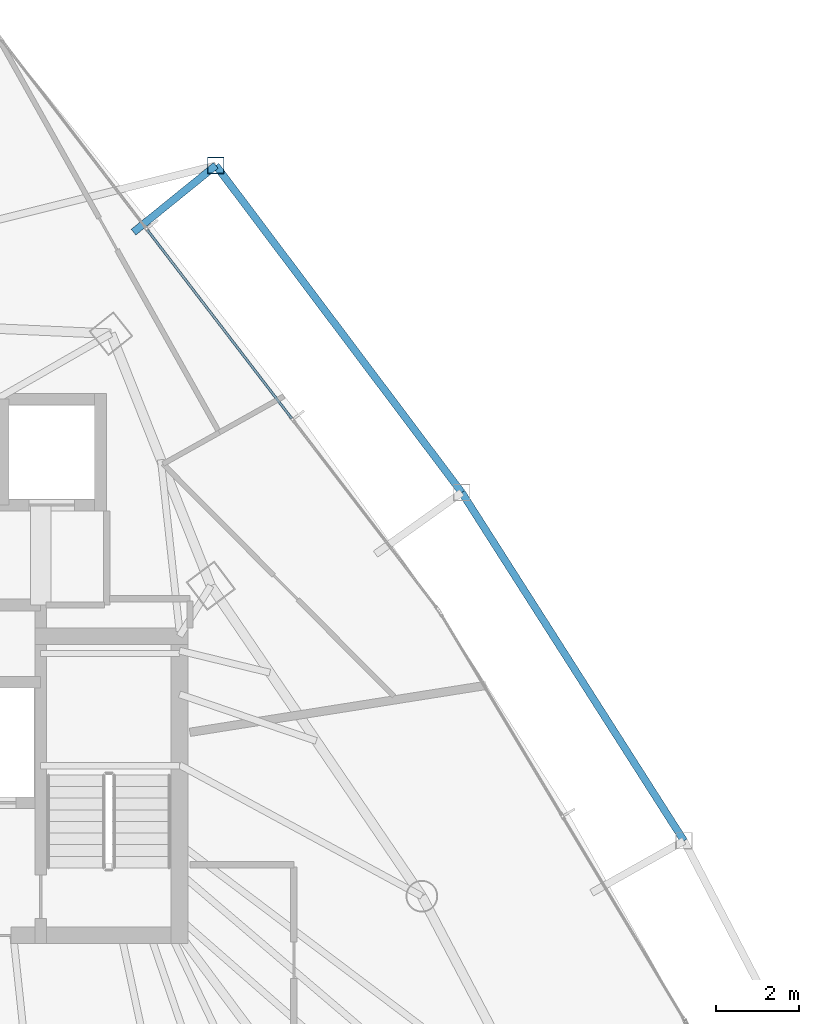
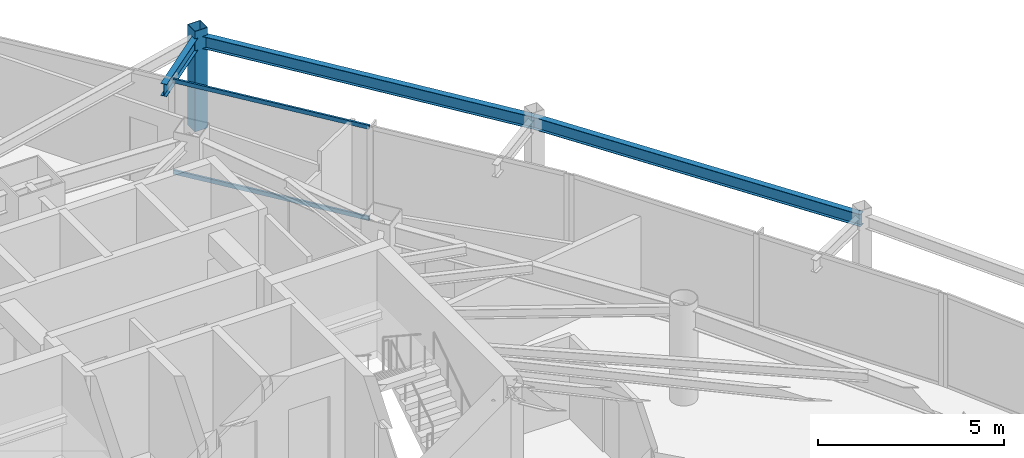
# One storey, part 26 of 33: 3 beams, 3 members, 1 element without a shape of its own.
"""IFC4 building model written with IfcOpenShell, lengths in metres."""

import ifcopenshell
import ifcopenshell.guid

model = None  # the IFC model being written
_history = None  # IfcOwnerHistory: only IFC2X3 demands one
_inside = {}  # id of a spatial element -> (the spatial element, [elements in it])
_under = {}  # id of a project, library or spatial element -> (it, [spatial elements below it])
_declared = {}  # id of a project -> (the project, [libraries it declares])
_typed = {}  # id of a type object -> (the type object, [elements of that type])
_made_of = {}  # id of a material, layer set ... -> (it, [elements and type objects made of it])


def new_model(schema):
    """Start an empty IFC model of exactly this schema.

    Asked for "IFC4X3", IfcOpenShell would pick the latest addendum, in which some entities
    have other attributes; the version numbers below select the first issue.
    IFC2X3 requires an IfcOwnerHistory on every rooted entity: one is made here for all.
    """
    global model, _history
    if schema == "IFC4X3":
        model = ifcopenshell.file(schema_version=(4, 3, 0, 0))
    else:
        model = ifcopenshell.file(schema=schema)
    _inside.clear()
    _under.clear()
    _declared.clear()
    _typed.clear()
    _made_of.clear()
    _history = None
    if model.schema == "IFC2X3":
        org = make("IfcOrganization", Name="unknown")
        user = make(
            "IfcPersonAndOrganization",
            ThePerson=make("IfcPerson", FamilyName="unknown"),
            TheOrganization=org,
        )
        app = make(
            "IfcApplication",
            ApplicationDeveloper=org,
            Version="unknown",
            ApplicationFullName="unknown",
            ApplicationIdentifier="unknown",
        )
        _history = make(
            "IfcOwnerHistory",
            OwningUser=user,
            OwningApplication=app,
            ChangeAction="ADDED",
            CreationDate=0,
        )
    return model


def make(cls, **values):
    """One entity of the class cls with the attributes given. An attribute that is None is left unset."""
    return model.create_entity(
        cls, **{name: value for name, value in values.items() if value is not None}
    )


def rooted(cls, **values):
    """An entity with a GlobalId (a new one), such as an element, a storey or a relation."""
    return make(cls, GlobalId=ifcopenshell.guid.new(), OwnerHistory=_history, **values)


def si_unit(unit_type, name, prefix=None):
    """IfcSIUnit, for example si_unit("LENGTHUNIT", "METRE", prefix="MILLI")."""
    return make("IfcSIUnit", UnitType=unit_type, Prefix=prefix, Name=name)


def assignment(units):
    """IfcUnitAssignment: the units of a project."""
    return None if units is None else make("IfcUnitAssignment", Units=units)


def point(xyz):
    """IfcCartesianPoint."""
    return None if xyz is None else make("IfcCartesianPoint", Coordinates=xyz)


def direction(xyz):
    """IfcDirection."""
    return None if xyz is None else make("IfcDirection", DirectionRatios=xyz)


def frame(location, z_axis=None, x_axis=None):
    """IfcAxis2Placement3D, a coordinate frame: its origin and axes. An axis left out is left unset."""
    return make(
        "IfcAxis2Placement3D",
        Location=point(location),
        Axis=direction(z_axis),
        RefDirection=direction(x_axis),
    )


def frame_2d(location, x_axis=None):
    """IfcAxis2Placement2D, a coordinate frame in the plane: its origin and x axis."""
    return make(
        "IfcAxis2Placement2D", Location=point(location), RefDirection=direction(x_axis)
    )


def origin():
    """The frame at (0, 0, 0) with its axes left unset."""
    return frame((0.0, 0.0, 0.0))


def origin_2d():
    """The frame at (0, 0) in the plane with its x axis left unset."""
    return frame_2d((0.0, 0.0))


def place(relative_to, where):
    """IfcLocalPlacement: puts the frame where relative to a parent placement (None: the world)."""
    return make(
        "IfcLocalPlacement", PlacementRelTo=relative_to, RelativePlacement=where
    )


def context(
    kind, dimensions, precision=None, world=None, true_north=None, identifier=None
):
    """IfcGeometricRepresentationContext, for example the 3D "Model" context."""
    return make(
        "IfcGeometricRepresentationContext",
        ContextIdentifier=identifier,
        ContextType=kind,
        CoordinateSpaceDimension=dimensions,
        Precision=precision,
        WorldCoordinateSystem=world,
        TrueNorth=true_north,
    )


def subcontext(parent, identifier, kind, view, scale=None):
    """IfcGeometricRepresentationSubContext, for example "Body" below "Model"."""
    return make(
        "IfcGeometricRepresentationSubContext",
        ContextIdentifier=identifier,
        ContextType=kind,
        ParentContext=parent,
        TargetScale=scale,
        TargetView=view,
    )


def project(units=None, contexts=None):
    """IfcProject with its units and contexts."""
    return rooted(
        "IfcProject",
        Name="project",
        RepresentationContexts=contexts,
        UnitsInContext=assignment(units),
    )


def spatial(cls, under=None, at=None, **own):
    """A site, building, storey or space (cls), placed at a placement, below another one or the project."""
    s = rooted(cls, ObjectPlacement=at, **own)
    if under is not None:
        _under.setdefault(under.id(), (under, []))[1].append(s)
    return s


def profile(cls, at=None, kind="AREA", **sizes):
    """A parametric profile (cls). Its sizes go by their IFC names, for example OverallWidth=200.0."""
    return make(cls, ProfileType=kind, Position=at, **sizes)


def hollow_rectangle(**sizes):
    """IfcRectangleHollowProfileDef."""
    return profile("IfcRectangleHollowProfileDef", **sizes)


def i_section(**sizes):
    """IfcIShapeProfileDef."""
    return profile("IfcIShapeProfileDef", **sizes)


def extrude(swept, where, along, depth):
    """IfcExtrudedAreaSolid: the profile swept, set in the frame where, extruded along a direction by depth."""
    return make(
        "IfcExtrudedAreaSolid",
        SweptArea=swept,
        Position=where,
        ExtrudedDirection=direction(along),
        Depth=depth,
    )


def shape(context_of_items, identifier, shape_type, items):
    """IfcShapeRepresentation: the items that make up one representation, for example the "Body"."""
    return make(
        "IfcShapeRepresentation",
        ContextOfItems=context_of_items,
        RepresentationIdentifier=identifier,
        RepresentationType=shape_type,
        Items=items,
    )


def material(Name=None, Category=None):
    """IfcMaterial."""
    return make("IfcMaterial", Name=Name, Category=Category)


def layer(
    of_material, thickness, ventilated=None, Name=None, Category=None, Priority=None
):
    """IfcMaterialLayer: one layer of a wall or slab, of a material (None: an air gap)."""
    return make(
        "IfcMaterialLayer",
        Material=of_material,
        LayerThickness=thickness,
        IsVentilated=ventilated,
        Name=Name,
        Category=Category,
        Priority=Priority,
    )


def layer_set(layers, Name=None):
    """IfcMaterialLayerSet."""
    return make("IfcMaterialLayerSet", MaterialLayers=layers, LayerSetName=Name)


def material_profile(
    of_material, cross_section, Name=None, Category=None, Priority=None
):
    """IfcMaterialProfile: a cross section and its material."""
    return make(
        "IfcMaterialProfile",
        Name=Name,
        Material=of_material,
        Profile=cross_section,
        Priority=Priority,
        Category=Category,
    )


def profile_set(profiles, Name=None, composite=None):
    """IfcMaterialProfileSet."""
    return make(
        "IfcMaterialProfileSet",
        Name=Name,
        MaterialProfiles=profiles,
        CompositeProfile=composite,
    )


def made_of(thing, what):
    """Note that an element or type object is made of a material, layer set ...; save() writes the relation."""
    if what is not None:
        _made_of.setdefault(what.id(), (what, []))[1].append(thing)
    return thing


def type_object(cls, material=None, **own):
    """A type object (cls), such as IfcWallType, which elements share."""
    return made_of(rooted(cls, **own), material)


def element(
    cls,
    number,
    at=None,
    inside=None,
    cuts=None,
    type_object=None,
    material=None,
    context=None,
    identifier="Body",
    shape_type=None,
    held_by="IfcProductDefinitionShape",
    body=None,
    shapes=None,
    **own,
):
    """One element of the class cls, such as IfcWall. Its Tag is "e" and its number.

    at: its placement. inside: the storey or other place that contains it. cuts: it is an
    opening in that element (IfcRelVoidsElement). A single representation is given by context,
    identifier, shape_type and body (its items); several are given by shapes. held_by: the class
    of the entity that holds the representations. save() writes the other relations.
    """
    e = rooted(cls, Tag="e%d" % number, ObjectPlacement=at, **own)
    if body is not None:
        shapes = [shape(context, identifier, shape_type, body)]
    if shapes is not None:
        e.Representation = make(held_by, Representations=shapes)
    if inside is not None:
        _inside.setdefault(inside.id(), (inside, []))[1].append(e)
    if cuts is not None:
        rooted(
            "IfcRelVoidsElement", RelatingBuildingElement=cuts, RelatedOpeningElement=e
        )
    if type_object is not None:
        _typed.setdefault(type_object.id(), (type_object, []))[1].append(e)
    return made_of(e, material)


def aggregate(whole, parts):
    """IfcRelAggregates: a whole, such as a stair, and the parts it consists of."""
    return rooted("IfcRelAggregates", RelatingObject=whole, RelatedObjects=parts)


def save(model, path):
    """Write the relations noted so far, then the file.

    IfcRelAggregates (storeys below a building ...), IfcRelContainedInSpatialStructure (elements
    in a storey), IfcRelDefinesByType, IfcRelAssociatesMaterial and IfcRelDeclares: one each for
    every whole, place, type object, material and project.
    """
    for whole, parts in _under.values():
        aggregate(whole, parts)
    for where, things in _inside.values():
        rooted(
            "IfcRelContainedInSpatialStructure",
            RelatedElements=things,
            RelatingStructure=where,
        )
    for kind, things in _typed.values():
        rooted("IfcRelDefinesByType", RelatedObjects=things, RelatingType=kind)
    for what, things in _made_of.values():
        rooted("IfcRelAssociatesMaterial", RelatedObjects=things, RelatingMaterial=what)
    for by, libraries in _declared.values():
        rooted("IfcRelDeclares", RelatingContext=by, RelatedDefinitions=libraries)
    model.write(path)


model = new_model("IFC4")

# Units and contexts
model_context = context("Model", 3, precision=1e-05, world=origin(), true_north=direction((0.0, 1.0)))
body_context = subcontext(model_context, "Body", "Model", "MODEL_VIEW")
ifc_project = project(units=[si_unit("LENGTHUNIT", "METRE"), si_unit("AREAUNIT", "SQUARE_METRE"), si_unit("VOLUMEUNIT", "CUBIC_METRE"), si_unit("PLANEANGLEUNIT", "RADIAN"), si_unit("MASSUNIT", "GRAM", prefix="KILO")], contexts=[model_context])

# Site, building, storey
site_placement = place(None, origin())
site = spatial("IfcSite", under=ifc_project, at=site_placement, CompositionType="ELEMENT")
building_placement = place(site_placement, origin())
building = spatial("IfcBuilding", under=site, at=building_placement, Name="Orvanel Arch Residences", CompositionType="ELEMENT")
storey_placement = place(building_placement, frame((0.0, 0.0, 119.89990234375)))
storey = spatial("IfcBuildingStorey", under=building, at=storey_placement, Name="L33", CompositionType="ELEMENT", Elevation=119.89990234375)

# Beams
ifc_material_1 = material(Name="Structural steel AS/NZS 3679.1 Grade 300 (300 MPa)", Category="steel")
ifc_material_profile_1 = material_profile(ifc_material_1, i_section(OverallWidth=0.177978515625, OverallDepth=0.406005859375, WebThickness=0.0078125, FlangeThickness=0.0126953125, at=origin_2d()), Name="410UB59.7")
ifc_profile_set_1 = profile_set([ifc_material_profile_1], Name="Structural steel AS/NZS 3679.1 Grade 300 (300 MPa)")
beam_type = type_object("IfcBeamType", Name="OB-410UB-EXT", PredefinedType="SPANDREL", material=ifc_profile_set_1)
beam_1_placement = place(storey_placement, frame((51.739990234375, 28.972900390625, 2.857177734375), z_axis=(-0.53782201313, 0.843058409716, 0.0), x_axis=(-0.843058409716, -0.53782201313, 0.0)))
element("IfcBeam", 1, at=beam_1_placement, inside=storey, type_object=beam_type, Name="L33 Outer Perimeter Floor Ring Beam 10", PredefinedType="SPANDREL", context=body_context, shape_type="SweptSolid", body=[
    extrude(i_section(OverallWidth=0.177978515625, OverallDepth=0.406005859375, WebThickness=0.0078125, FlangeThickness=0.0126953125, at=origin_2d()), origin(), (0.0, 0.0, 1.0), 9.943603515625),
])
beam_2_placement = place(storey_placement, frame((46.39208984375, 37.35595703125, 2.857177734375), z_axis=(-0.600999213408, 0.799249614002, 0.0), x_axis=(-0.799249614002, -0.600999213408, 0.0)))
element("IfcBeam", 2, at=beam_2_placement, inside=storey, type_object=beam_type, Name="L33 Outer Perimeter Floor Ring Beam 11", PredefinedType="SPANDREL", context=body_context, shape_type="SweptSolid", body=[
    extrude(i_section(OverallWidth=0.177978515625, OverallDepth=0.406005859375, WebThickness=0.0078125, FlangeThickness=0.0126953125, at=origin_2d()), origin(), (0.0, 0.0, 1.0), 9.846923828125),
])
beam_3_placement = place(storey_placement, frame((38.492919921875, 43.62109375, 2.857177734375), z_axis=(0.777024069571, 0.629470885195, 0.0), x_axis=(-0.629470885195, 0.777024069571, 0.0)))
element("IfcBeam", 3, at=beam_3_placement, inside=storey, type_object=beam_type, Name="L33 Outer Frame Radial Tie Beam 12", PredefinedType="SPANDREL", context=body_context, shape_type="SweptSolid", body=[
    extrude(i_section(OverallWidth=0.177978515625, OverallDepth=0.406005859375, WebThickness=0.0078125, FlangeThickness=0.0126953125, at=origin_2d()), origin(), (0.0, 0.0, 1.0), 2.5498046875),
])

# Member
ifc_material_2 = material(Name="Structural steel AS/NZS 1163 C450L0 (Grade 450)", Category="steel")
ifc_material_profile_2 = material_profile(ifc_material_2, hollow_rectangle(XDim=0.39990234375, YDim=0.39990234375, WallThickness=0.01611328125, at=origin_2d()), Name="SHS400x400x16")
ifc_profile_set_2 = profile_set([ifc_material_profile_2], Name="Structural steel AS/NZS 1163 C450L0 (Grade 450)")
member_type_1 = type_object("IfcMemberType", Name="ST-400SHS-EXT", PredefinedType="STRUT", material=ifc_profile_set_2)
member_1_placement = place(storey_placement, frame((40.47412109375, 45.22607421875, 0.0), z_axis=(0.0, 0.0, 1.0), x_axis=(1.0, 0.0, 0.0)))
element("IfcMember", 4, at=member_1_placement, inside=storey, type_object=member_type_1, Name="L33 Outer Perimeter Frame Post 12", PredefinedType="STRUT", context=body_context, shape_type="SweptSolid", body=[
    extrude(hollow_rectangle(XDim=0.39990234375, YDim=0.39990234375, WallThickness=0.01611328125, at=origin_2d()), origin(), (0.0, 0.0, 1.0), 3.300048828125),
])

# Curtain wall, members
ifc_material_3 = material(Name="Bronze-anodised aluminium AA6063-T6", Category="aluminium")
ifc_layer = layer(ifc_material_3, 0.179931640625)
ifc_layer_set = layer_set([ifc_layer], Name="Bronze-anodised aluminium AA6063-T6")
curtain_wall_type = type_object("IfcCurtainWallType", Name="CW3-MID-SYS", PredefinedType="NOTDEFINED", material=ifc_layer_set)
curtain_wall_placement = place(storey_placement, origin())
curtain_wall = element("IfcCurtainWall", 5, at=curtain_wall_placement, inside=storey, type_object=curtain_wall_type, Name="L33 CW3-MID-SYS Unitised Curtain Wall", PredefinedType="NOTDEFINED")
ifc_material_profile_3 = material_profile(ifc_material_3, hollow_rectangle(XDim=0.06005859375, YDim=0.135009765625, WallThickness=0.00390625, at=origin_2d()), Name="ALU135x60x4")
ifc_profile_set_3 = profile_set([ifc_material_profile_3], Name="Bronze-anodised aluminium AA6063-T6")
member_type_2 = type_object("IfcMemberType", Name="TRN-135x60", PredefinedType="USERDEFINED", material=ifc_profile_set_3)
member_2_placement = place(storey_placement, frame((42.299072265625, 39.13818359375, 0.030029296875), z_axis=(-0.608103229723, 0.793857960848, 0.0), x_axis=(-0.793857960848, -0.608103229723, 0.0)))
member_2 = element("IfcMember", 6, at=member_2_placement, type_object=member_type_2, Name="CW-S3 transom 2.1", ObjectType="TRANSOM", PredefinedType="USERDEFINED", context=body_context, shape_type="SweptSolid", body=[
    extrude(hollow_rectangle(XDim=0.06005859375, YDim=0.135009765625, WallThickness=0.00390625, at=origin_2d()), origin(), (0.0, 0.0, 1.0), 5.714599609375),
])
member_3_placement = place(storey_placement, frame((42.299072265625, 39.13818359375, 3.030029296875), z_axis=(-0.608103229723, 0.793857960848, 0.0), x_axis=(-0.793857960848, -0.608103229723, 0.0)))
member_3 = element("IfcMember", 7, at=member_3_placement, type_object=member_type_2, Name="CW-S3 transom 2.2", ObjectType="TRANSOM", PredefinedType="USERDEFINED", context=body_context, shape_type="SweptSolid", body=[
    extrude(hollow_rectangle(XDim=0.06005859375, YDim=0.135009765625, WallThickness=0.00390625, at=origin_2d()), origin(), (0.0, 0.0, 1.0), 5.714599609375),
])
aggregate(curtain_wall, [member_2, member_3])

save(model, "model.ifc")
